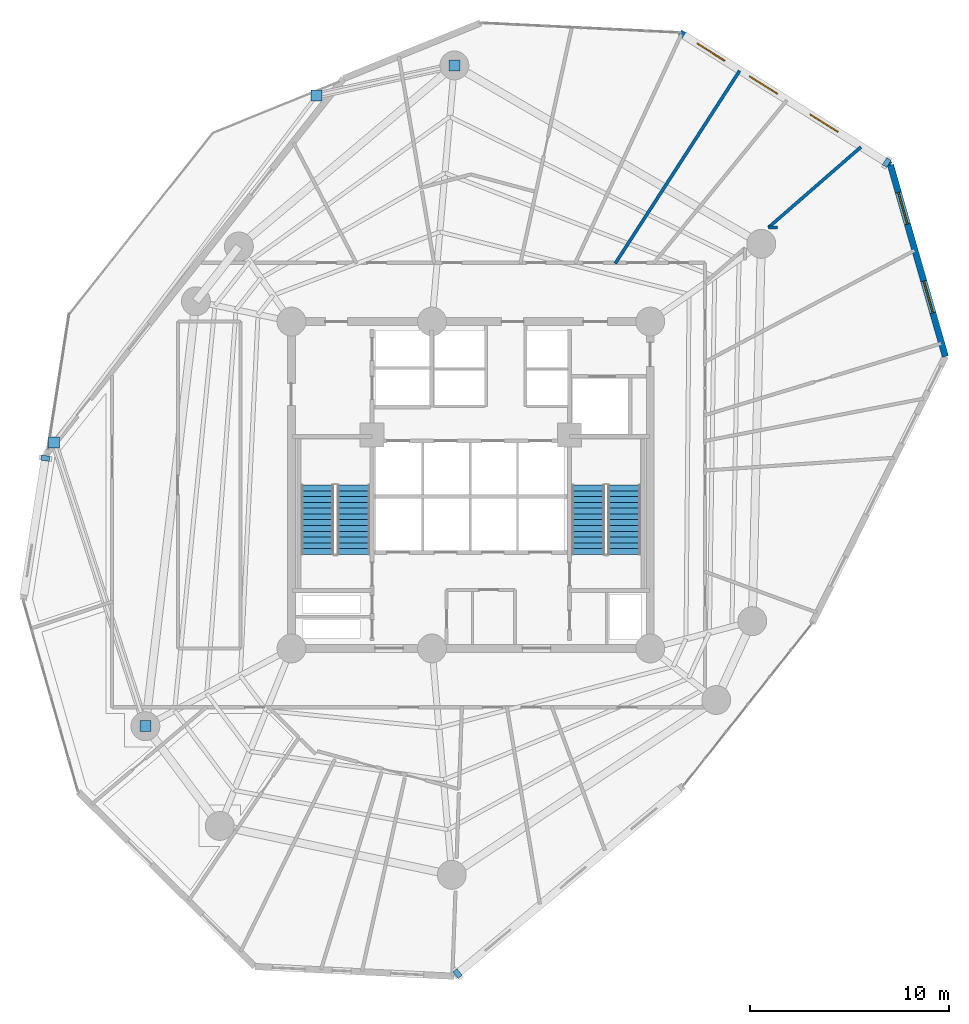
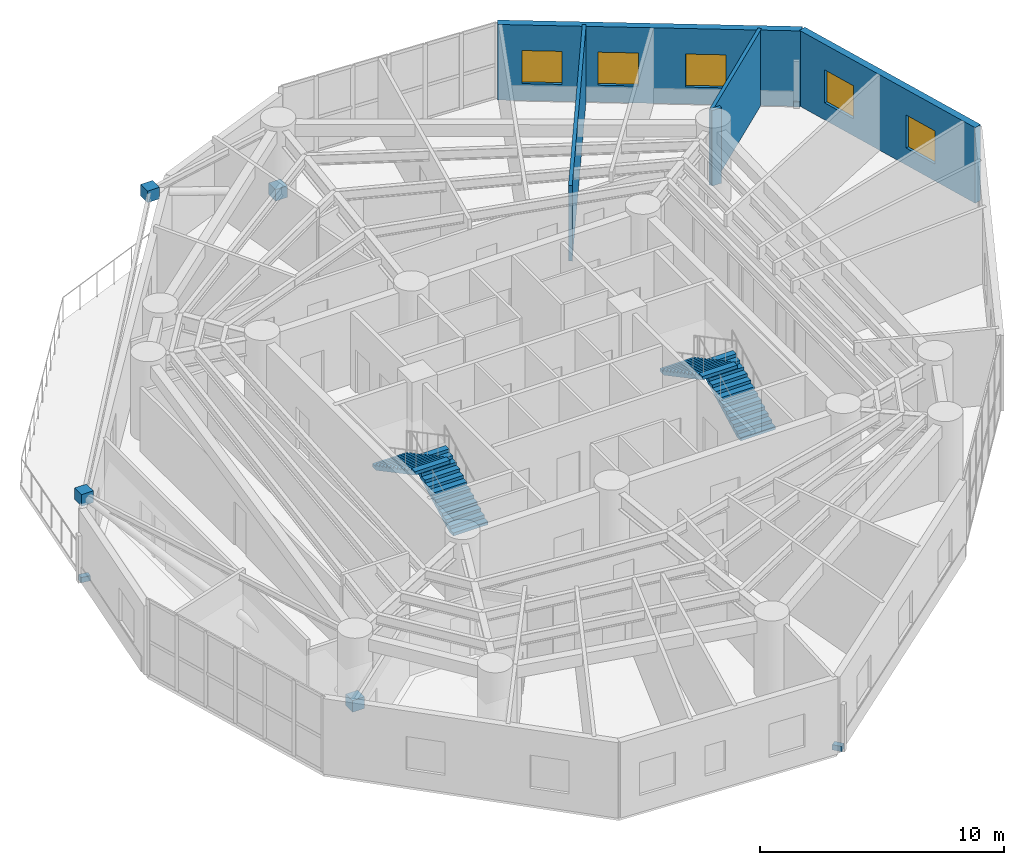
# One storey, part 11 of 14: 7 discrete accessories, 5 walls, 5 windows, 4 stair flights, 5 openings, 2 elements without a shape of their own.
"""IFC4 building model written with IfcOpenShell, lengths in metres."""

from ifc_helpers import new_model, si_unit, direction, frame, frame_2d, origin, origin_with_axes, origin_2d, place, context, subcontext, project, spatial, polyline, rectangle, outline, extrude, source, transform, mapped, material, layer, layer_set, type_object, element, fill, aggregate, save


model = new_model("IFC4")

# Units and contexts
model_context = context("Model", 3, precision=1e-05, world=origin(), true_north=direction((0.0, 1.0)))
body_context = subcontext(model_context, "Body", "Model", "MODEL_VIEW")
ifc_project = project(units=[si_unit("LENGTHUNIT", "METRE"), si_unit("AREAUNIT", "SQUARE_METRE"), si_unit("VOLUMEUNIT", "CUBIC_METRE"), si_unit("PLANEANGLEUNIT", "RADIAN"), si_unit("MASSUNIT", "GRAM", prefix="KILO")], contexts=[model_context])

# Site, building, storey
site_placement = place(None, origin())
site = spatial("IfcSite", under=ifc_project, at=site_placement, CompositionType="ELEMENT")
building_placement = place(site_placement, origin())
building = spatial("IfcBuilding", under=site, at=building_placement, Name="Karkom Vertical University and Central Library", CompositionType="ELEMENT")
storey_placement = place(building_placement, frame((0.0, 0.0, 92.199951171875)))
storey = spatial("IfcBuildingStorey", under=building, at=storey_placement, Name="L24", CompositionType="ELEMENT", Elevation=92.199951171875)

# Wall, openings, windows
ifc_material_1 = material(Name="Brick-faced precast concrete C45/55", Category="masonry")
ifc_layer_1 = layer(ifc_material_1, 0.320068359375)
ifc_layer_set_1 = layer_set([ifc_layer_1], Name="Brick-faced precast concrete C45/55")
wall_type_1 = type_object("IfcWallType", Name="ENV-WL-BRK-320", PredefinedType="SOLIDWALL", material=ifc_layer_set_1)
wall_1_placement = place(storey_placement, frame((52.30712890625, 32.94580078125, 0.0), z_axis=(0.0, 0.0, 1.0), x_axis=(-0.275436756648, 0.961319194174, 0.0)))
wall_1 = element("IfcWall", 1, at=wall_1_placement, inside=storey, type_object=wall_type_1, Name="Level 24 Brick-Faced Precast Facade Wall 08", PredefinedType="SOLIDWALL", context=body_context, shape_type="SweptSolid", body=[
    extrude(rectangle(XDim=10.001953125, YDim=0.320068359375, at=frame_2d((5.0009765625, 0.0))), origin(), (0.0, 0.0, 1.0), 3.775146484375),
])
opening_1_placement = place(wall_1_placement, frame((2.28662109375, 0.0, 0.85009765625)))
opening_1 = element("IfcOpeningElement", 2, at=opening_1_placement, cuts=wall_1, Name="Opening WN-06", PredefinedType="OPENING", context=body_context, shape_type="SweptSolid", body=[
    extrude(rectangle(XDim=1.64990234375, YDim=1.64990234375, at=frame_2d((0.824951171875, 0.824951171875))), frame((0.0, 0.169921875, 0.0), z_axis=(0.0, -1.0, 0.0), x_axis=(1.0, 0.0, 0.0)), (0.0, 0.0, 1.0), 0.340087890625),
])
opening_2_placement = place(wall_1_placement, frame((6.912841796875, 0.0, 0.85009765625)))
opening_2 = element("IfcOpeningElement", 3, at=opening_2_placement, cuts=wall_1, Name="Opening WN-06", PredefinedType="OPENING", context=body_context, shape_type="SweptSolid", body=[
    extrude(rectangle(XDim=1.64990234375, YDim=1.64990234375, at=frame_2d((0.824951171875, 0.824951171875))), frame((0.0, 0.169921875, 0.0), z_axis=(0.0, -1.0, 0.0), x_axis=(1.0, 0.0, 0.0)), (0.0, 0.0, 1.0), 0.340087890625),
])
ifc_material_2 = material(Name="Aluminium thermal-break frame with solar-control IGU", Category="aluminium")
window_type = type_object("IfcWindowType", Name="ENV-WIN-WN-06", PartitioningType="SINGLE_PANEL", PredefinedType="WINDOW", material=ifc_material_2)
shared_shape_1 = source(origin_with_axes(), body_context, "Body", "SweptSolid", [
    extrude(rectangle(XDim=1.64990234375, YDim=1.64990234375, at=frame_2d((0.824951171875, 0.824951171875))), frame((0.0, 0.030029296875, 0.0), z_axis=(0.0, -1.0, 0.0), x_axis=(1.0, 0.0, 0.0)), (0.0, 0.0, 1.0), 0.06005859375),
])
window_1_placement = place(opening_1_placement, origin())
window_1 = element("IfcWindow", 4, at=window_1_placement, inside=storey, type_object=window_type, Name="Level 24 Punched Window 8.1", OverallHeight=1.64990234375, OverallWidth=1.64990234375, PartitioningType="SINGLE_PANEL", PredefinedType="WINDOW", context=body_context, shape_type="MappedRepresentation", body=[
    mapped(shared_shape_1, transform((0.0, 0.0, 0.0), scale=1.0)),
])
fill(opening_1, window_1)
window_2_placement = place(opening_2_placement, origin())
window_2 = element("IfcWindow", 5, at=window_2_placement, inside=storey, type_object=window_type, Name="Level 24 Punched Window 8.2", OverallHeight=1.64990234375, OverallWidth=1.64990234375, PartitioningType="SINGLE_PANEL", PredefinedType="WINDOW", context=body_context, shape_type="MappedRepresentation", body=[
    mapped(shared_shape_1, transform((0.0, 0.0, 0.0), scale=1.0)),
])
fill(opening_2, window_2)

wall_2_placement = place(storey_placement, frame((49.55224609375, 42.560791015625, 0.0), z_axis=(0.0, 0.0, 1.0), x_axis=(-0.846842838453, 0.531843216523, 0.0)))
wall_2 = element("IfcWall", 6, at=wall_2_placement, inside=storey, type_object=wall_type_1, Name="Level 24 Brick-Faced Precast Facade Wall 09", PredefinedType="SOLIDWALL", context=body_context, shape_type="SweptSolid", body=[
    extrude(rectangle(XDim=12.4736328125, YDim=0.320068359375, at=frame_2d((6.23681640625, 0.0))), origin(), (0.0, 0.0, 1.0), 3.775146484375),
])
opening_3_placement = place(wall_2_placement, frame((3.11376953125, 0.0, 0.85009765625)))
opening_3 = element("IfcOpeningElement", 7, at=opening_3_placement, cuts=wall_2, Name="Opening WN-06", PredefinedType="OPENING", context=body_context, shape_type="SweptSolid", body=[
    extrude(rectangle(XDim=1.64990234375, YDim=1.64990234375, at=frame_2d((0.824951171875, 0.824951171875))), frame((0.0, 0.169921875, 0.0), z_axis=(0.0, -1.0, 0.0), x_axis=(1.0, 0.0, 0.0)), (0.0, 0.0, 1.0), 0.340087890625),
])
opening_4_placement = place(wall_2_placement, frame((6.702880859375, 0.0, 0.85009765625)))
opening_4 = element("IfcOpeningElement", 8, at=opening_4_placement, cuts=wall_2, Name="Opening WN-06", PredefinedType="OPENING", context=body_context, shape_type="SweptSolid", body=[
    extrude(rectangle(XDim=1.64990234375, YDim=1.64990234375, at=frame_2d((0.824951171875, 0.824951171875))), frame((0.0, 0.169921875, 0.0), z_axis=(0.0, -1.0, 0.0), x_axis=(1.0, 0.0, 0.0)), (0.0, 0.0, 1.0), 0.340087890625),
])
opening_5_placement = place(wall_2_placement, frame((9.818115234375, 0.0, 0.85009765625)))
opening_5 = element("IfcOpeningElement", 9, at=opening_5_placement, cuts=wall_2, Name="Opening WN-06", PredefinedType="OPENING", context=body_context, shape_type="SweptSolid", body=[
    extrude(rectangle(XDim=1.64990234375, YDim=1.64990234375, at=frame_2d((0.824951171875, 0.824951171875))), frame((0.0, 0.169921875, 0.0), z_axis=(0.0, -1.0, 0.0), x_axis=(1.0, 0.0, 0.0)), (0.0, 0.0, 1.0), 0.340087890625),
])
window_3_placement = place(opening_3_placement, origin())
window_3 = element("IfcWindow", 10, at=window_3_placement, inside=storey, type_object=window_type, Name="Level 24 Punched Window 9.1", OverallHeight=1.64990234375, OverallWidth=1.64990234375, PartitioningType="SINGLE_PANEL", PredefinedType="WINDOW", context=body_context, shape_type="MappedRepresentation", body=[
    mapped(shared_shape_1, transform((0.0, 0.0, 0.0), scale=1.0)),
])
fill(opening_3, window_3)
window_4_placement = place(opening_4_placement, origin())
window_4 = element("IfcWindow", 11, at=window_4_placement, inside=storey, type_object=window_type, Name="Level 24 Punched Window 9.2", OverallHeight=1.64990234375, OverallWidth=1.64990234375, PartitioningType="SINGLE_PANEL", PredefinedType="WINDOW", context=body_context, shape_type="MappedRepresentation", body=[
    mapped(shared_shape_1, transform((0.0, 0.0, 0.0), scale=1.0)),
])
fill(opening_4, window_4)
window_5_placement = place(opening_5_placement, origin())
window_5 = element("IfcWindow", 12, at=window_5_placement, inside=storey, type_object=window_type, Name="Level 24 Punched Window 9.3", OverallHeight=1.64990234375, OverallWidth=1.64990234375, PartitioningType="SINGLE_PANEL", PredefinedType="WINDOW", context=body_context, shape_type="MappedRepresentation", body=[
    mapped(shared_shape_1, transform((0.0, 0.0, 0.0), scale=1.0)),
])
fill(opening_5, window_5)

# Walls
ifc_material_3 = material(Name="Insulated metal-stud drywall 160mm", Category="gypsum")
ifc_layer_2 = layer(ifc_material_3, 0.159912109375)
ifc_layer_set_2 = layer_set([ifc_layer_2], Name="Insulated metal-stud drywall 160mm")
wall_type_2 = type_object("IfcWallType", Name="INT-WL-COR-160", PredefinedType="PARTITIONING", material=ifc_layer_set_2)
wall_3_placement = place(storey_placement, frame((35.742431640625, 37.6123046875, 0.0), z_axis=(0.0, 0.0, 1.0), x_axis=(0.542226381043, 0.840232439091, 0.0)))
element("IfcWall", 13, at=wall_3_placement, inside=storey, type_object=wall_type_2, Name="Level 24 Interior Partition Wall L24-PW-028", PredefinedType="PARTITIONING", context=body_context, shape_type="SweptSolid", body=[
    extrude(rectangle(XDim=11.51123046875, YDim=0.159912109375, at=frame_2d((5.755615234375, 0.0))), origin(), (0.0, 0.0, 1.0), 3.775146484375),
])
wall_4_placement = place(storey_placement, frame((43.4306640625, 39.419921875, 0.0), z_axis=(0.0, 0.0, 1.0), x_axis=(0.754202064337, 0.656642403557, 0.0)))
element("IfcWall", 14, at=wall_4_placement, inside=storey, type_object=wall_type_2, Name="Level 24 Interior Partition Wall L24-PW-026", PredefinedType="PARTITIONING", context=body_context, shape_type="SweptSolid", body=[
    extrude(rectangle(XDim=6.151123046875, YDim=0.159912109375, at=frame_2d((3.07568359375, 0.0))), origin(), (0.0, 0.0, 1.0), 3.775146484375),
])
wall_5_placement = place(storey_placement, frame((43.889892578125, 39.419921875, 0.0), z_axis=(0.0, 0.0, 1.0), x_axis=(-1.0, 0.0, 0.0)))
element("IfcWall", 15, at=wall_5_placement, inside=storey, type_object=wall_type_2, Name="Level 24 Interior Partition Wall L24-PW-025", PredefinedType="PARTITIONING", context=body_context, shape_type="SweptSolid", body=[
    extrude(rectangle(XDim=0.459228515625, YDim=0.159912109375, at=frame_2d((0.2294921875, 0.0))), origin(), (0.0, 0.0, 1.0), 3.775146484375),
])

# Stair, stair flights
ifc_material_4 = material(Name="Concrete C45/55", Category="concrete")
stair_type = type_object("IfcStairType", Name="INT-STR-ST-MAIN", PredefinedType="HALF_TURN_STAIR", material=ifc_material_4)
stair_1_placement = place(storey_placement, origin())
stair_1 = element("IfcStair", 16, at=stair_1_placement, inside=storey, type_object=stair_type, Name="Level 24 Tower Protected Exit Stair ST-1", PredefinedType="HALF_TURN_STAIR")
stair_flight_type = type_object("IfcStairFlightType", Name="INT-SFL-ST-MAIN", PredefinedType="STRAIGHT", material=ifc_material_4)
stair_flight_1_placement = place(storey_placement, frame((22.614990234375, 23.02001953125, 0.0), z_axis=(0.0, 0.0, 1.0), x_axis=(0.0, 1.0, 0.0)))
stair_flight_1 = element("IfcStairFlight", 17, at=stair_flight_1_placement, type_object=stair_flight_type, Name="ST-1 flight 1", NumberOfRisers=13, NumberOfTreads=12, PredefinedType="STRAIGHT", RiserHeight=0.153846154, TreadLength=0.29, context=body_context, shape_type="SweptSolid", body=[
    extrude(outline(polyline([(0.0, 0.0), (0.0, 0.15380859375), (0.2900390625, 0.15380859375), (0.2900390625, 0.3076171875), (0.580078125, 0.3076171875), (0.580078125, 0.46142578125), (0.8701171875, 0.46142578125), (0.8701171875, 0.615478515625), (1.159912109375, 0.615478515625), (1.159912109375, 0.769287109375), (1.449951171875, 0.769287109375), (1.449951171875, 0.923095703125), (1.739990234375, 0.923095703125), (1.739990234375, 1.076904296875), (2.030029296875, 1.076904296875), (2.030029296875, 1.230712890625), (2.320068359375, 1.230712890625), (2.320068359375, 1.384521484375), (2.610107421875, 1.384521484375), (2.610107421875, 1.53857421875), (2.89990234375, 1.53857421875), (2.89990234375, 1.6923828125), (3.18994140625, 1.6923828125), (3.18994140625, 1.84619140625), (3.47998046875, 1.84619140625), (3.47998046875, 2.0), (3.47998046875, 1.676513671875), (0.31982421875, 0.0), (0.0, 0.0)])), frame((0.0, 0.824951171875, 0.0), z_axis=(0.0, -1.0, 0.0), x_axis=(1.0, 0.0, 0.0)), (0.0, 0.0, 1.0), 1.64990234375),
])
stair_flight_2_placement = place(storey_placement, frame((20.804931640625, 26.5, 2.0), z_axis=(0.0, 0.0, 1.0), x_axis=(0.0, -1.0, 0.0)))
stair_flight_2 = element("IfcStairFlight", 18, at=stair_flight_2_placement, type_object=stair_flight_type, Name="ST-1 flight 2", NumberOfRisers=13, NumberOfTreads=12, PredefinedType="STRAIGHT", RiserHeight=0.153846154, TreadLength=0.29, context=body_context, shape_type="SweptSolid", body=[
    extrude(outline(polyline([(0.0, 0.0), (0.0, 0.15380859375), (0.2900390625, 0.15380859375), (0.2900390625, 0.3076171875), (0.580078125, 0.3076171875), (0.580078125, 0.46142578125), (0.8701171875, 0.46142578125), (0.8701171875, 0.615478515625), (1.159912109375, 0.615478515625), (1.159912109375, 0.769287109375), (1.449951171875, 0.769287109375), (1.449951171875, 0.923095703125), (1.739990234375, 0.923095703125), (1.739990234375, 1.076904296875), (2.030029296875, 1.076904296875), (2.030029296875, 1.230712890625), (2.320068359375, 1.230712890625), (2.320068359375, 1.384521484375), (2.610107421875, 1.384521484375), (2.610107421875, 1.53857421875), (2.89990234375, 1.53857421875), (2.89990234375, 1.6923828125), (3.18994140625, 1.6923828125), (3.18994140625, 1.84619140625), (3.47998046875, 1.84619140625), (3.47998046875, 2.0), (3.47998046875, 1.676513671875), (0.31982421875, 0.0), (0.0, 0.0)])), frame((0.0, 0.824951171875, 0.0), z_axis=(0.0, -1.0, 0.0), x_axis=(1.0, 0.0, 0.0)), (0.0, 0.0, 1.0), 1.64990234375),
])
aggregate(stair_1, [stair_flight_1, stair_flight_2])

stair_2_placement = place(storey_placement, origin())
stair_2 = element("IfcStair", 19, at=stair_2_placement, inside=storey, type_object=stair_type, Name="Level 24 Tower Protected Exit Stair ST-2", PredefinedType="HALF_TURN_STAIR")
stair_flight_3_placement = place(storey_placement, frame((36.195068359375, 23.02001953125, 0.0), z_axis=(0.0, 0.0, 1.0), x_axis=(0.0, 1.0, 0.0)))
stair_flight_3 = element("IfcStairFlight", 20, at=stair_flight_3_placement, type_object=stair_flight_type, Name="ST-2 flight 1", NumberOfRisers=13, NumberOfTreads=12, PredefinedType="STRAIGHT", RiserHeight=0.153846154, TreadLength=0.29, context=body_context, shape_type="SweptSolid", body=[
    extrude(outline(polyline([(0.0, 0.0), (0.0, 0.15380859375), (0.2900390625, 0.15380859375), (0.2900390625, 0.3076171875), (0.580078125, 0.3076171875), (0.580078125, 0.46142578125), (0.8701171875, 0.46142578125), (0.8701171875, 0.615478515625), (1.159912109375, 0.615478515625), (1.159912109375, 0.769287109375), (1.449951171875, 0.769287109375), (1.449951171875, 0.923095703125), (1.739990234375, 0.923095703125), (1.739990234375, 1.076904296875), (2.030029296875, 1.076904296875), (2.030029296875, 1.230712890625), (2.320068359375, 1.230712890625), (2.320068359375, 1.384521484375), (2.610107421875, 1.384521484375), (2.610107421875, 1.53857421875), (2.89990234375, 1.53857421875), (2.89990234375, 1.6923828125), (3.18994140625, 1.6923828125), (3.18994140625, 1.84619140625), (3.47998046875, 1.84619140625), (3.47998046875, 2.0), (3.47998046875, 1.676513671875), (0.31982421875, 0.0), (0.0, 0.0)])), frame((0.0, 0.824951171875, 0.0), z_axis=(0.0, -1.0, 0.0), x_axis=(1.0, 0.0, 0.0)), (0.0, 0.0, 1.0), 1.64990234375),
])
stair_flight_4_placement = place(storey_placement, frame((34.385009765625, 26.5, 2.0), z_axis=(0.0, 0.0, 1.0), x_axis=(0.0, -1.0, 0.0)))
stair_flight_4 = element("IfcStairFlight", 21, at=stair_flight_4_placement, type_object=stair_flight_type, Name="ST-2 flight 2", NumberOfRisers=13, NumberOfTreads=12, PredefinedType="STRAIGHT", RiserHeight=0.153846154, TreadLength=0.29, context=body_context, shape_type="SweptSolid", body=[
    extrude(outline(polyline([(0.0, 0.0), (0.0, 0.15380859375), (0.2900390625, 0.15380859375), (0.2900390625, 0.3076171875), (0.580078125, 0.3076171875), (0.580078125, 0.46142578125), (0.8701171875, 0.46142578125), (0.8701171875, 0.615478515625), (1.159912109375, 0.615478515625), (1.159912109375, 0.769287109375), (1.449951171875, 0.769287109375), (1.449951171875, 0.923095703125), (1.739990234375, 0.923095703125), (1.739990234375, 1.076904296875), (2.030029296875, 1.076904296875), (2.030029296875, 1.230712890625), (2.320068359375, 1.230712890625), (2.320068359375, 1.384521484375), (2.610107421875, 1.384521484375), (2.610107421875, 1.53857421875), (2.89990234375, 1.53857421875), (2.89990234375, 1.6923828125), (3.18994140625, 1.6923828125), (3.18994140625, 1.84619140625), (3.47998046875, 1.84619140625), (3.47998046875, 2.0), (3.47998046875, 1.676513671875), (0.31982421875, 0.0), (0.0, 0.0)])), frame((0.0, 0.824951171875, 0.0), z_axis=(0.0, -1.0, 0.0), x_axis=(1.0, 0.0, 0.0)), (0.0, 0.0, 1.0), 1.64990234375),
])
aggregate(stair_2, [stair_flight_3, stair_flight_4])

# Discrete accessories
ifc_material_5 = material(Name="Ductile cast iron EN-GJS-400-15", Category="metal")
discrete_accessory_type_1 = type_object("IfcDiscreteAccessoryType", Name="STR-ACC-NODECAP", PredefinedType="BRACKET", material=ifc_material_5)
shared_shape_2 = source(origin_with_axes(), body_context, "Body", "SweptSolid", [
    extrude(rectangle(XDim=0.56005859375, YDim=0.56005859375, at=origin_2d()), origin(), (0.0, 0.0, 1.0), 0.580078125),
])
for number, where, z_axis, x_axis, name in (
    (22, (27.674072265625, 47.551025390625, 0.06005859375), (0.0, 0.0, 1.0), (1.0, 0.0, 0.0), "Level 24 Cast Node Connector L24-SKG-KNEE-1 A"),
    (23, (20.75830078125, 46.044677734375, 3.320068359375), (0.0, 0.0, 1.0), (1.0, 0.0, 0.0), "Level 24 Cast Node Connector L24-SKG-KNEE-1 B"),
    (24, (12.172119140625, 14.403076171875, 0.06005859375), (0.0, 0.0, 1.0), (1.0, 0.0, 0.0), "Level 24 Cast Node Connector L24-SKG-KNEE-2 A"),
    (25, (7.58740234375, 28.64208984375, 3.320068359375), (0.0, 0.0, 1.0), (1.0, 0.0, 0.0), "Level 24 Cast Node Connector L24-SKG-KNEE-2 B"),
):
    element("IfcDiscreteAccessory", number, at=place(storey_placement, frame(where, z_axis=z_axis, x_axis=x_axis)), inside=storey, type_object=discrete_accessory_type_1, Name=name, PredefinedType="BRACKET", context=body_context, shape_type="MappedRepresentation", body=[
        mapped(shared_shape_2, transform((0.0, 0.0, 0.0), scale=1.0)),
    ])
ifc_material_6 = material(Name="Austenitic stainless steel 316", Category="steel")
discrete_accessory_type_2 = type_object("IfcDiscreteAccessoryType", Name="INT-ACC-BRACKET", PredefinedType="BRACKET", material=ifc_material_6)
shared_shape_3 = source(origin_with_axes(), body_context, "Body", "SweptSolid", [
    extrude(rectangle(XDim=0.260009765625, YDim=0.419921875, at=origin_2d()), origin(), (0.0, 0.0, 1.0), 0.260009765625),
])
for number, where, z_axis, x_axis, name in (
    (26, (7.152099609375, 27.845703125, 0.0), (0.0, 0.0, 1.0), (-0.154710386299, -0.987959865769, 0.0), "Level 24 Sun-Breaker Stainless Corbel Bracket 10"),
    (27, (27.830078125, 1.990478515625, 0.0), (0.0, 0.0, 1.0), (0.769064991547, 0.639170586601, 0.0), "Level 24 Sun-Breaker Stainless Corbel Bracket 11"),
    (28, (49.365966796875, 42.677978515625, 0.0), (0.0, 0.0, 1.0), (-0.846843565628, 0.531842058656, 0.0), "Level 24 Sun-Breaker Stainless Corbel Bracket 12"),
):
    element("IfcDiscreteAccessory", number, at=place(storey_placement, frame(where, z_axis=z_axis, x_axis=x_axis)), inside=storey, type_object=discrete_accessory_type_2, Name=name, PredefinedType="BRACKET", context=body_context, shape_type="MappedRepresentation", body=[
        mapped(shared_shape_3, transform((0.0, 0.0, 0.0), scale=1.0)),
    ])

save(model, "model.ifc")
